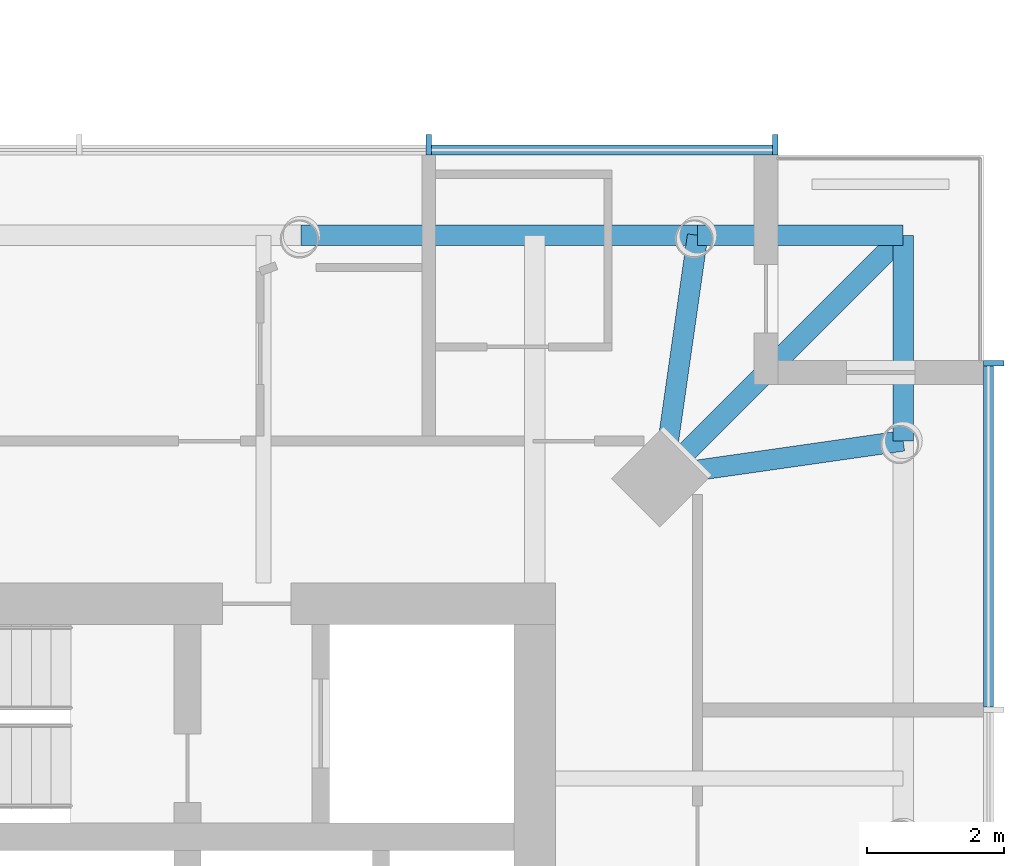
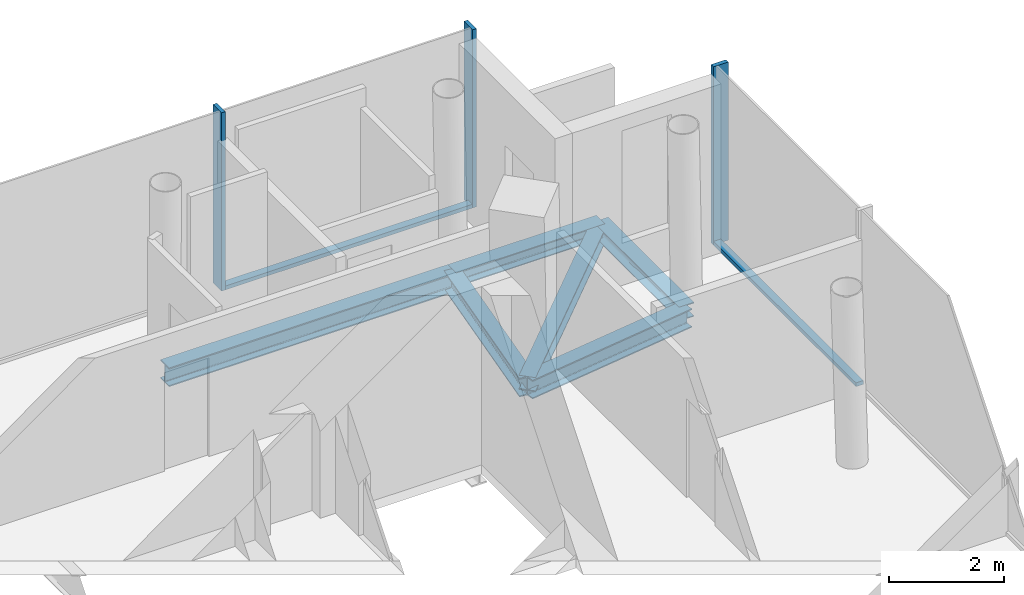
# One storey, part 5 of 18: 6 beams, 5 members, 2 elements without a shape of their own.
"""IFC4 building model written with IfcOpenShell, lengths in metres."""

from ifc_helpers import new_model, si_unit, direction, frame, origin, origin_2d, place, context, subcontext, project, spatial, rectangle, i_section, extrude, material, material_profile, profile_set, type_object, element, aggregate, save


model = new_model("IFC4")

# Units and contexts
model_context = context("Model", 3, precision=1e-05, world=origin(), true_north=direction((0.0, 1.0)))
body_context = subcontext(model_context, "Body", "Model", "MODEL_VIEW")
ifc_project = project(units=[si_unit("LENGTHUNIT", "METRE"), si_unit("AREAUNIT", "SQUARE_METRE"), si_unit("VOLUMEUNIT", "CUBIC_METRE"), si_unit("PLANEANGLEUNIT", "RADIAN"), si_unit("MASSUNIT", "GRAM", prefix="KILO")], contexts=[model_context])

# Site, building, storey
site_placement = place(None, origin())
site = spatial("IfcSite", under=ifc_project, at=site_placement, CompositionType="ELEMENT")
building_placement = place(site_placement, origin())
building = spatial("IfcBuilding", under=site, at=building_placement, Name="Ostroluk Exchange", CompositionType="ELEMENT")
storey_placement = place(building_placement, frame((0.0, 0.0, 123.60009765625)))
storey = spatial("IfcBuildingStorey", under=building, at=storey_placement, Name="L31", CompositionType="ELEMENT", Elevation=123.60009765625)

# Beams
ifc_material_1 = material(Name="Steel S355", Category="steel")
ifc_material_profile_1 = material_profile(ifc_material_1, i_section(OverallWidth=0.300048828125, OverallDepth=0.300048828125, WebThickness=0.010986328125, FlangeThickness=0.01904296875, FilletRadius=0.027099609375, at=origin_2d()), Name="HEB 300")
ifc_profile_set_1 = profile_set([ifc_material_profile_1], Name="Steel S355")
beam_type_1 = type_object("IfcBeamType", Name="Balcony beam HEB 300", PredefinedType="BEAM", material=ifc_profile_set_1)
for number, where, z_axis, x_axis, name in (
    (1, (131.57763671875, 57.57763671875, -0.35009765625), (0.0, 1.0, 0.0), (-1.0, 0.0, 0.0), "T2 east balcony beam a"),
    (2, (128.57763671875, 60.57763671875, -0.35009765625), (1.0, 0.0, 0.0), (0.0, 1.0, 0.0), "T2 east balcony beam b"),
):
    element("IfcBeam", number, at=place(storey_placement, frame(where, z_axis=z_axis, x_axis=x_axis)), inside=storey, type_object=beam_type_1, Name=name, PredefinedType="BEAM", context=body_context, shape_type="SweptSolid", body=[
        extrude(i_section(OverallWidth=0.300048828125, OverallDepth=0.300048828125, WebThickness=0.010986328125, FlangeThickness=0.01904296875, FilletRadius=0.027099609375, at=origin_2d()), origin(), (0.0, 0.0, 1.0), 3.0),
    ])
beam_1_placement = place(storey_placement, frame((128.07763671875, 57.07763671875, -0.35009765625), z_axis=(0.707106781187, 0.707106781187, 0.0), x_axis=(-0.707106781187, 0.707106781187, 0.0)))
element("IfcBeam", 3, at=beam_1_placement, inside=storey, type_object=beam_type_1, Name="T2 east balcony beam c", PredefinedType="BEAM", context=body_context, shape_type="SweptSolid", body=[
    extrude(i_section(OverallWidth=0.300048828125, OverallDepth=0.300048828125, WebThickness=0.010986328125, FlangeThickness=0.01904296875, FilletRadius=0.027099609375, at=origin_2d()), origin(), (0.0, 0.0, 1.0), 4.94970703125),
])
ifc_material_2 = material(Name="Steel S355", Category="steel")
ifc_material_profile_2 = material_profile(ifc_material_2, i_section(OverallWidth=0.300048828125, OverallDepth=0.39990234375, WebThickness=0.013427734375, FlangeThickness=0.02392578125, FilletRadius=0.027099609375, at=origin_2d()), Name="HEB 400")
ifc_profile_set_2 = profile_set([ifc_material_profile_2], Name="Steel S355")
beam_type_2 = type_object("IfcBeamType", Name="Corner edge beam HEB 400", PredefinedType="SPANDREL", material=ifc_profile_set_2)
for number, where, z_axis, x_axis, name in (
    (4, (128.07763671875, 57.07763671875, -0.400146484375), (0.989949493661, 0.141421356237, 0.0), (-0.141421356237, 0.989949493661, 0.0), "T2 east corner edge beam a"),
    (5, (128.07763671875, 57.07763671875, -0.400146484375), (0.141421356237, 0.989949493661, 0.0), (-0.989949493661, 0.141421356237, 0.0), "T2 east corner edge beam b"),
):
    element("IfcBeam", number, at=place(storey_placement, frame(where, z_axis=z_axis, x_axis=x_axis)), inside=storey, type_object=beam_type_2, Name=name, PredefinedType="SPANDREL", context=body_context, shape_type="SweptSolid", body=[
        extrude(i_section(OverallWidth=0.300048828125, OverallDepth=0.39990234375, WebThickness=0.013427734375, FlangeThickness=0.02392578125, FilletRadius=0.027099609375, at=origin_2d()), origin(), (0.0, 0.0, 1.0), 3.53564453125),
    ])
ifc_material_3 = material(Name="Steel S355", Category="steel")
ifc_material_profile_3 = material_profile(ifc_material_3, i_section(OverallWidth=0.300048828125, OverallDepth=0.39990234375, WebThickness=0.013427734375, FlangeThickness=0.02392578125, FilletRadius=0.027099609375, at=origin_2d()), Name="HEB 400")
ifc_profile_set_3 = profile_set([ifc_material_profile_3], Name="Steel S355")
beam_type_3 = type_object("IfcBeamType", Name="Moment-connected edge beam HEB 400", PredefinedType="SPANDREL", material=ifc_profile_set_3)
beam_2_placement = place(storey_placement, frame((128.57763671875, 60.57763671875, -0.400146484375), z_axis=(-1.0, 0.0, 0.0), x_axis=(0.0, -1.0, 0.0)))
element("IfcBeam", 6, at=beam_2_placement, inside=storey, type_object=beam_type_3, Name="T2 north edge beam 1", PredefinedType="SPANDREL", context=body_context, shape_type="SweptSolid", body=[
    extrude(i_section(OverallWidth=0.300048828125, OverallDepth=0.39990234375, WebThickness=0.013427734375, FlangeThickness=0.02392578125, FilletRadius=0.027099609375, at=origin_2d()), origin(), (0.0, 0.0, 1.0), 5.788818359375),
])

# Curtain wall, member
ifc_material_4 = material(Name="Laminated clear glass", Category="glass")
curtain_wall_type = type_object("IfcCurtainWallType", Name="Hotel guest floor facade", PredefinedType="USERDEFINED", material=ifc_material_4)
curtain_wall_1_placement = place(storey_placement, origin())
curtain_wall_1 = element("IfcCurtainWall", 7, at=curtain_wall_1_placement, inside=storey, type_object=curtain_wall_type, Name="Hotel tower east facade L31", ObjectType="UNITISED CURTAIN WALL", PredefinedType="USERDEFINED")
ifc_material_5 = material(Name="Aluminium mullion", Category="aluminium")
ifc_material_profile_4 = material_profile(ifc_material_5, rectangle(XDim=0.14990234375, YDim=0.080078125, at=origin_2d()), Name="Sill transom 80 x 150")
ifc_profile_set_4 = profile_set([ifc_material_profile_4], Name="Aluminium mullion")
member_type_1 = type_object("IfcMemberType", Name="Sill transom 80 x 150", PredefinedType="USERDEFINED", material=ifc_profile_set_4)
member_1_placement = place(storey_placement, frame((132.824951171875, 53.68994140625, 0.039794921875), z_axis=(0.0, 1.0, 0.0), x_axis=(-1.0, 0.0, 0.0)))
member_1 = element("IfcMember", 8, at=member_1_placement, type_object=member_type_1, Name="CW-H1 transom 5.1", ObjectType="TRANSOM", PredefinedType="USERDEFINED", context=body_context, shape_type="SweptSolid", body=[
    extrude(rectangle(XDim=0.14990234375, YDim=0.080078125, at=origin_2d()), origin(), (0.0, 0.0, 1.0), 4.97998046875),
])

curtain_wall_2_placement = place(storey_placement, origin())
curtain_wall_2 = element("IfcCurtainWall", 9, at=curtain_wall_2_placement, inside=storey, type_object=curtain_wall_type, Name="Hotel tower north facade L31", ObjectType="UNITISED CURTAIN WALL", PredefinedType="USERDEFINED")
member_2_placement = place(storey_placement, frame((129.669921875, 61.824951171875, 0.039794921875), z_axis=(-1.0, 0.0, 0.0), x_axis=(0.0, -1.0, 0.0)))
member_2 = element("IfcMember", 10, at=member_2_placement, type_object=member_type_1, Name="CW-H1 transom 1.1", ObjectType="TRANSOM", PredefinedType="USERDEFINED", context=body_context, shape_type="SweptSolid", body=[
    extrude(rectangle(XDim=0.14990234375, YDim=0.080078125, at=origin_2d()), origin(), (0.0, 0.0, 1.0), 4.97998046875),
])

# Member
ifc_material_6 = material(Name="Aluminium mullion with limestone facing", Category="masonry")
ifc_material_profile_5 = material_profile(ifc_material_6, rectangle(XDim=0.300048828125, YDim=0.080078125, at=origin_2d()), Name="Tracery mullion 80 x 300")
ifc_profile_set_5 = profile_set([ifc_material_profile_5], Name="Aluminium mullion with limestone facing")
member_type_2 = type_object("IfcMemberType", Name="Tracery mullion 80 x 300", PredefinedType="MULLION", material=ifc_profile_set_5)
member_3_placement = place(storey_placement, frame((132.89990234375, 58.7099609375, 0.0), z_axis=(0.0, 0.0, 1.0), x_axis=(-1.0, 0.0, 0.0)))
member_3 = element("IfcMember", 11, at=member_3_placement, type_object=member_type_2, Name="CW-H1 mullion 6", PredefinedType="MULLION", context=body_context, shape_type="SweptSolid", body=[
    extrude(rectangle(XDim=0.300048828125, YDim=0.080078125, at=origin_2d()), origin(), (0.0, 0.0, 1.0), 3.7998046875),
])

aggregate(curtain_wall_1, [member_3, member_1])

member_4_placement = place(storey_placement, frame((129.7099609375, 61.89990234375, 0.0), z_axis=(0.0, 0.0, 1.0), x_axis=(0.0, -1.0, 0.0)))
member_4 = element("IfcMember", 12, at=member_4_placement, type_object=member_type_2, Name="CW-H1 mullion 1", PredefinedType="MULLION", context=body_context, shape_type="SweptSolid", body=[
    extrude(rectangle(XDim=0.300048828125, YDim=0.080078125, at=origin_2d()), origin(), (0.0, 0.0, 1.0), 3.7998046875),
])

member_5_placement = place(storey_placement, frame((124.64990234375, 61.89990234375, 0.0), z_axis=(0.0, 0.0, 1.0), x_axis=(0.0, -1.0, 0.0)))
member_5 = element("IfcMember", 13, at=member_5_placement, type_object=member_type_2, Name="CW-H1 mullion 2", PredefinedType="MULLION", context=body_context, shape_type="SweptSolid", body=[
    extrude(rectangle(XDim=0.300048828125, YDim=0.080078125, at=origin_2d()), origin(), (0.0, 0.0, 1.0), 3.7998046875),
])

aggregate(curtain_wall_2, [member_4, member_5, member_2])

save(model, "model.ifc")
